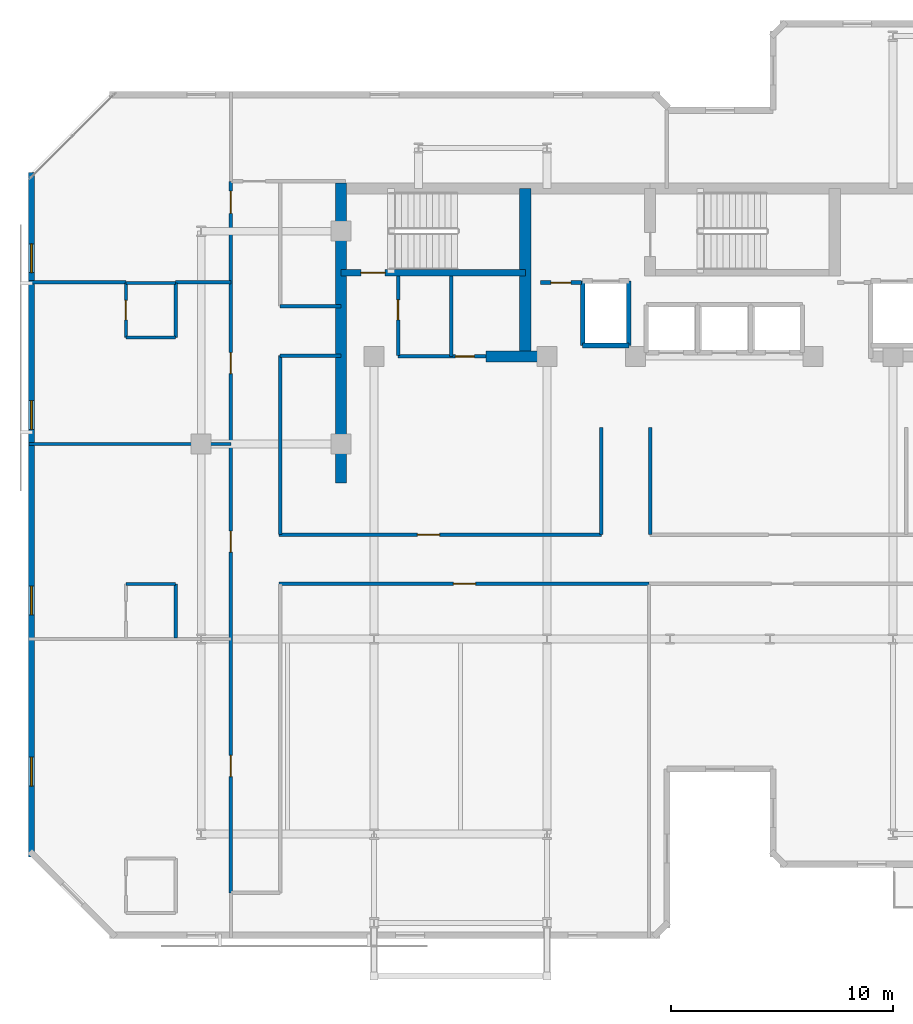
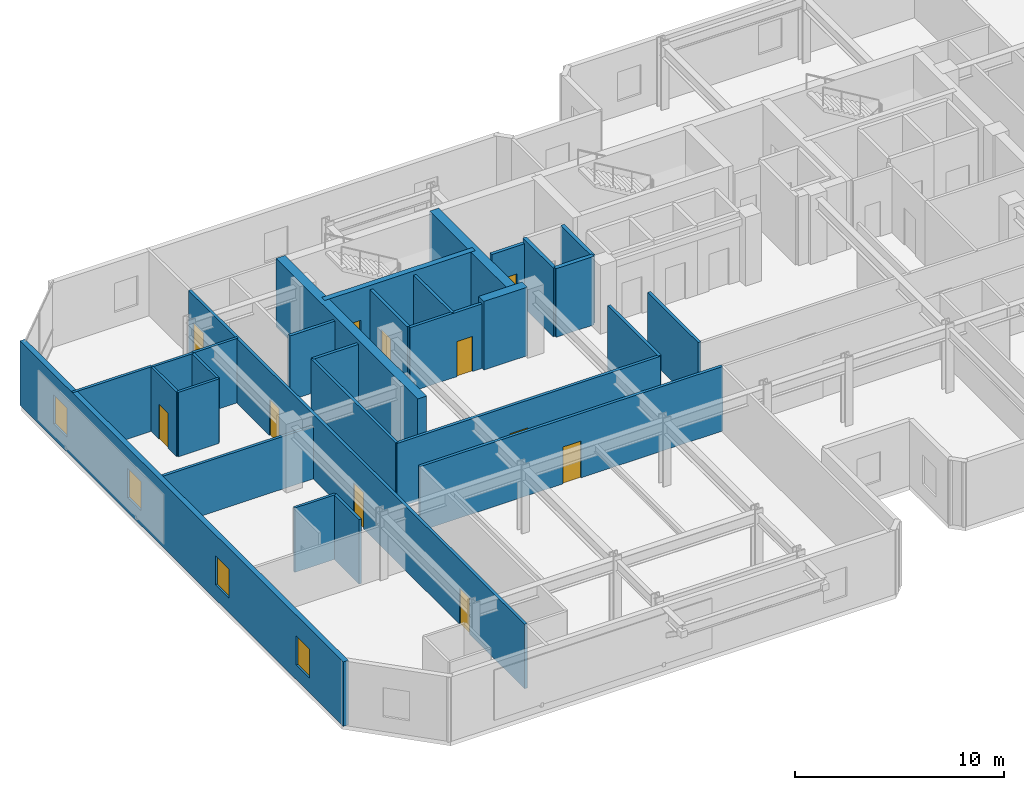
# One storey, part 4 of 10: 29 walls, 11 doors, 4 windows, 15 openings.
"""IFC4 building model written with IfcOpenShell, lengths in metres."""

from ifc_helpers import new_model, si_unit, direction, frame, frame_2d, origin, place, context, subcontext, project, spatial, rectangle, extrude, material, layer, layer_set, type_object, element, fill, save


model = new_model("IFC4")

# Units and contexts
model_context = context("Model", 3, precision=1e-05, world=origin(), true_north=direction((0.0, 1.0)))
body_context = subcontext(model_context, "Body", "Model", "MODEL_VIEW")
ifc_project = project(units=[si_unit("LENGTHUNIT", "METRE"), si_unit("AREAUNIT", "SQUARE_METRE"), si_unit("VOLUMEUNIT", "CUBIC_METRE"), si_unit("PLANEANGLEUNIT", "RADIAN"), si_unit("MASSUNIT", "GRAM", prefix="KILO")], contexts=[model_context])

# Site, building, storey
site_placement = place(None, origin())
site = spatial("IfcSite", under=ifc_project, at=site_placement, CompositionType="ELEMENT")
building_placement = place(site_placement, origin())
building = spatial("IfcBuilding", under=site, at=building_placement, Name="Kestravale Grand Hotel", CompositionType="ELEMENT")
storey_placement = place(building_placement, frame((0.0, 0.0, 269.39990234375)))
storey = spatial("IfcBuildingStorey", under=building, at=storey_placement, Name="L67", CompositionType="ELEMENT", Elevation=269.39990234375)

# Walls
ifc_material_1 = material(Name="Concrete f'c 50 MPa", Category="concrete")
ifc_layer_1 = layer(ifc_material_1, 0.5)
ifc_layer_set_1 = layer_set([ifc_layer_1], Name="EW-CORE-500")
wall_type_1 = type_object("IfcWallType", Name="EW-CORE-500", PredefinedType="SHEAR", material=ifc_layer_set_1)
wall_1_placement = place(storey_placement, frame((21.89990234375, 27.050048828125, 0.0), z_axis=(0.0, 0.0, 1.0), x_axis=(0.0, 1.0, 0.0)))
element("IfcWall", 1, at=wall_1_placement, inside=storey, type_object=wall_type_1, Name="L67 core shear wall W1", PredefinedType="SHEAR", context=body_context, shape_type="SweptSolid", body=[
    extrude(rectangle(XDim=13.52001953125, YDim=0.5, at=frame_2d((6.760009765625, 0.0))), origin(), (0.0, 0.0, 1.0), 4.0),
])
wall_2_placement = place(storey_placement, frame((28.449951171875, 32.75, 0.0), z_axis=(0.0, 0.0, 1.0), x_axis=(1.0, 0.0, 0.0)))
element("IfcWall", 2, at=wall_2_placement, inside=storey, type_object=wall_type_1, Name="L67 core shear wall S1", PredefinedType="SHEAR", context=body_context, shape_type="SweptSolid", body=[
    extrude(rectangle(XDim=2.400146484375, YDim=0.5, at=frame_2d((1.2001953125, 0.0))), origin(), (0.0, 0.0, 1.0), 4.0),
])
wall_3_placement = place(storey_placement, frame((30.219970703125, 33.0, 0.0), z_axis=(0.0, 0.0, 1.0), x_axis=(0.0, 1.0, 0.0)))
element("IfcWall", 3, at=wall_3_placement, inside=storey, type_object=wall_type_1, Name="L67 core shear wall X1", PredefinedType="SHEAR", context=body_context, shape_type="SweptSolid", body=[
    extrude(rectangle(XDim=7.320068359375, YDim=0.5, at=frame_2d((3.66015625, 0.0))), origin(), (0.0, 0.0, 1.0), 4.0),
])

# Wall, openings, windows
ifc_material_2 = material(Name="Precast concrete f'c 45 MPa", Category="concrete")
ifc_layer_2 = layer(ifc_material_2, 0.280029296875)
ifc_layer_set_2 = layer_set([ifc_layer_2], Name="EW-PREC-280")
wall_type_2 = type_object("IfcWallType", Name="EW-PREC-280", PredefinedType="SOLIDWALL", material=ifc_layer_set_2)
wall_4_placement = place(storey_placement, frame((7.93994140625, 41.0400390625, 0.0), z_axis=(0.0, 0.0, 1.0), x_axis=(0.0, -1.0, 0.0)))
wall_4 = element("IfcWall", 4, at=wall_4_placement, inside=storey, type_object=wall_type_2, Name="L67 fluted precast facade wall 19", PredefinedType="SOLIDWALL", context=body_context, shape_type="SweptSolid", body=[
    extrude(rectangle(XDim=30.880126953125, YDim=0.280029296875, at=frame_2d((15.43994140625, 0.0))), origin(), (0.0, 0.0, 1.0), 3.760009765625),
])
opening_1_placement = place(wall_4_placement, frame((3.2099609375, 0.0, 0.85009765625)))
opening_1 = element("IfcOpeningElement", 5, at=opening_1_placement, cuts=wall_4, Name="Opening W-GUEST-1300", PredefinedType="OPENING", context=body_context, shape_type="SweptSolid", body=[
    extrude(rectangle(XDim=1.300048828125, YDim=1.699951171875, at=frame_2d((0.64990234375, 0.85009765625))), frame((0.0, 0.14990234375, 0.0), z_axis=(0.0, -1.0, 0.0), x_axis=(1.0, 0.0, 0.0)), (0.0, 0.0, 1.0), 0.300048828125),
])
opening_2_placement = place(wall_4_placement, frame((10.280029296875, 0.0, 0.85009765625)))
opening_2 = element("IfcOpeningElement", 6, at=opening_2_placement, cuts=wall_4, Name="Opening W-GUEST-1300", PredefinedType="OPENING", context=body_context, shape_type="SweptSolid", body=[
    extrude(rectangle(XDim=1.300048828125, YDim=1.699951171875, at=frame_2d((0.64990234375, 0.85009765625))), frame((0.0, 0.14990234375, 0.0), z_axis=(0.0, -1.0, 0.0), x_axis=(1.0, 0.0, 0.0)), (0.0, 0.0, 1.0), 0.300048828125),
])
opening_3_placement = place(wall_4_placement, frame((18.64990234375, 0.0, 0.85009765625)))
opening_3 = element("IfcOpeningElement", 7, at=opening_3_placement, cuts=wall_4, Name="Opening W-GUEST-1300", PredefinedType="OPENING", context=body_context, shape_type="SweptSolid", body=[
    extrude(rectangle(XDim=1.300048828125, YDim=1.699951171875, at=frame_2d((0.64990234375, 0.85009765625))), frame((0.0, 0.14990234375, 0.0), z_axis=(0.0, -1.0, 0.0), x_axis=(1.0, 0.0, 0.0)), (0.0, 0.0, 1.0), 0.300048828125),
])
opening_4_placement = place(wall_4_placement, frame((26.3701171875, 0.0, 0.85009765625)))
opening_4 = element("IfcOpeningElement", 8, at=opening_4_placement, cuts=wall_4, Name="Opening W-GUEST-1300", PredefinedType="OPENING", context=body_context, shape_type="SweptSolid", body=[
    extrude(rectangle(XDim=1.300048828125, YDim=1.699951171875, at=frame_2d((0.64990234375, 0.85009765625))), frame((0.0, 0.14990234375, 0.0), z_axis=(0.0, -1.0, 0.0), x_axis=(1.0, 0.0, 0.0)), (0.0, 0.0, 1.0), 0.300048828125),
])
ifc_material_3 = material(Name="Insulated low-E double glazing in aluminium frame", Category="aluminium")
window_type = type_object("IfcWindowType", Name="W-GUEST-1300", PartitioningType="SINGLE_PANEL", PredefinedType="WINDOW", material=ifc_material_3)
window_1_placement = place(opening_1_placement, origin())
window_1 = element("IfcWindow", 9, at=window_1_placement, inside=storey, type_object=window_type, Name="L67 exterior window 19.1", OverallHeight=1.699951171875, OverallWidth=1.300048828125, PartitioningType="SINGLE_PANEL", PredefinedType="WINDOW", context=body_context, shape_type="SweptSolid", body=[
    extrude(rectangle(XDim=1.300048828125, YDim=1.699951171875, at=frame_2d((0.64990234375, 0.85009765625))), frame((0.0, 0.030029296875, 0.0), z_axis=(0.0, -1.0, 0.0), x_axis=(1.0, 0.0, 0.0)), (0.0, 0.0, 1.0), 0.06005859375),
])
fill(opening_1, window_1)
window_2_placement = place(opening_2_placement, origin())
window_2 = element("IfcWindow", 10, at=window_2_placement, inside=storey, type_object=window_type, Name="L67 exterior window 19.2", OverallHeight=1.699951171875, OverallWidth=1.300048828125, PartitioningType="SINGLE_PANEL", PredefinedType="WINDOW", context=body_context, shape_type="SweptSolid", body=[
    extrude(rectangle(XDim=1.300048828125, YDim=1.699951171875, at=frame_2d((0.64990234375, 0.85009765625))), frame((0.0, 0.030029296875, 0.0), z_axis=(0.0, -1.0, 0.0), x_axis=(1.0, 0.0, 0.0)), (0.0, 0.0, 1.0), 0.06005859375),
])
fill(opening_2, window_2)
window_3_placement = place(opening_3_placement, origin())
window_3 = element("IfcWindow", 11, at=window_3_placement, inside=storey, type_object=window_type, Name="L67 exterior window 19.3", OverallHeight=1.699951171875, OverallWidth=1.300048828125, PartitioningType="SINGLE_PANEL", PredefinedType="WINDOW", context=body_context, shape_type="SweptSolid", body=[
    extrude(rectangle(XDim=1.300048828125, YDim=1.699951171875, at=frame_2d((0.64990234375, 0.85009765625))), frame((0.0, 0.030029296875, 0.0), z_axis=(0.0, -1.0, 0.0), x_axis=(1.0, 0.0, 0.0)), (0.0, 0.0, 1.0), 0.06005859375),
])
fill(opening_3, window_3)
window_4_placement = place(opening_4_placement, origin())
window_4 = element("IfcWindow", 12, at=window_4_placement, inside=storey, type_object=window_type, Name="L67 exterior window 19.4", OverallHeight=1.699951171875, OverallWidth=1.300048828125, PartitioningType="SINGLE_PANEL", PredefinedType="WINDOW", context=body_context, shape_type="SweptSolid", body=[
    extrude(rectangle(XDim=1.300048828125, YDim=1.699951171875, at=frame_2d((0.64990234375, 0.85009765625))), frame((0.0, 0.030029296875, 0.0), z_axis=(0.0, -1.0, 0.0), x_axis=(1.0, 0.0, 0.0)), (0.0, 0.0, 1.0), 0.06005859375),
])
fill(opening_4, window_4)

# Wall, opening, door
ifc_material_4 = material(Name="Concrete f'c 45 MPa", Category="concrete")
ifc_layer_3 = layer(ifc_material_4, 0.300048828125)
ifc_layer_set_3 = layer_set([ifc_layer_3], Name="EW-STAIR-300")
wall_type_3 = type_object("IfcWallType", Name="EW-STAIR-300", PredefinedType="SHEAR", material=ifc_layer_set_3)
wall_5_placement = place(storey_placement, frame((21.89990234375, 36.52001953125, 0.0), z_axis=(0.0, 0.0, 1.0), x_axis=(1.0, 0.0, 0.0)))
wall_5 = element("IfcWall", 13, at=wall_5_placement, inside=storey, type_object=wall_type_3, Name="L67 stair enclosure shear wall SST1", PredefinedType="SHEAR", context=body_context, shape_type="SweptSolid", body=[
    extrude(rectangle(XDim=8.320068359375, YDim=0.300048828125, at=frame_2d((4.16015625, 0.0))), origin(), (0.0, 0.0, 1.0), 4.0),
])
opening_5_placement = place(wall_5_placement, frame((0.89990234375, 0.0, 0.0)))
opening_5 = element("IfcOpeningElement", 14, at=opening_5_placement, cuts=wall_5, Name="Opening D-ST-1100", PredefinedType="OPENING", context=body_context, shape_type="SweptSolid", body=[
    extrude(rectangle(XDim=1.10009765625, YDim=2.14990234375, at=frame_2d((0.550048828125, 1.074951171875))), frame((0.0, 0.159912109375, 0.0), z_axis=(0.0, -1.0, 0.0), x_axis=(1.0, 0.0, 0.0)), (0.0, 0.0, 1.0), 0.320068359375),
])
ifc_material_5 = material(Name="Galvanised 90-minute fire-rated steel stair door", Category="steel")
door_type_1 = type_object("IfcDoorType", Name="D-ST-1100", OperationType="NOTDEFINED", PredefinedType="DOOR", material=ifc_material_5)
door_1_placement = place(opening_5_placement, origin())
door_1 = element("IfcDoor", 15, at=door_1_placement, inside=storey, type_object=door_type_1, Name="L67 Stair ST-1 fire door", OperationType="SINGLE_SWING_RIGHT", OverallHeight=2.14990234375, OverallWidth=1.10009765625, PredefinedType="DOOR", context=body_context, shape_type="SweptSolid", body=[
    extrude(rectangle(XDim=1.10009765625, YDim=2.14990234375, at=frame_2d((0.550048828125, 1.074951171875))), frame((0.0, 0.02490234375, 0.0), z_axis=(0.0, -1.0, 0.0), x_axis=(1.0, 0.0, 0.0)), (0.0, 0.0, 1.0), 0.050048828125),
])
fill(opening_5, door_1)

ifc_material_6 = material(Name="Acoustic fire-rated gypsum board partition", Category="other")
ifc_layer_4 = layer(ifc_material_6, 0.159912109375)
ifc_layer_set_4 = layer_set([ifc_layer_4], Name="IW-CORR-160")
wall_type_4 = type_object("IfcWallType", Name="IW-CORR-160", PredefinedType="PARTITIONING", material=ifc_layer_set_4)
wall_6_placement = place(storey_placement, frame((24.47998046875, 32.800048828125, 0.0), z_axis=(0.0, 0.0, 1.0), x_axis=(0.0, 1.0, 0.0)))
wall_6 = element("IfcWall", 16, at=wall_6_placement, inside=storey, type_object=wall_type_4, Name="L67 west core vestibule wall", PredefinedType="PARTITIONING", context=body_context, shape_type="SweptSolid", body=[
    extrude(rectangle(XDim=3.570068359375, YDim=0.159912109375, at=frame_2d((1.78515625, 0.0))), origin(), (0.0, 0.0, 1.0), 3.760009765625),
])
opening_6_placement = place(wall_6_placement, frame((1.603515625, 0.0, 0.0)))
opening_6 = element("IfcOpeningElement", 17, at=opening_6_placement, cuts=wall_6, Name="Opening D-SH-900", PredefinedType="OPENING", context=body_context, shape_type="SweptSolid", body=[
    extrude(rectangle(XDim=0.89990234375, YDim=2.10009765625, at=frame_2d((0.449951171875, 1.050048828125))), frame((0.0, 0.08984375, 0.0), z_axis=(0.0, -1.0, 0.0), x_axis=(1.0, 0.0, 0.0)), (0.0, 0.0, 1.0), 0.179931640625),
])
ifc_material_7 = material(Name="Galvanised 90-minute shaft and service fire door", Category="steel")
door_type_2 = type_object("IfcDoorType", Name="D-SH-900", OperationType="NOTDEFINED", PredefinedType="DOOR", material=ifc_material_7)
door_2_placement = place(opening_6_placement, origin())
door_2 = element("IfcDoor", 18, at=door_2_placement, inside=storey, type_object=door_type_2, Name="D-L67-HK", OperationType="SINGLE_SWING_RIGHT", OverallHeight=2.10009765625, OverallWidth=0.89990234375, PredefinedType="DOOR", context=body_context, shape_type="SweptSolid", body=[
    extrude(rectangle(XDim=0.89990234375, YDim=2.10009765625, at=frame_2d((0.449951171875, 1.050048828125))), frame((0.0, 0.02490234375, 0.0), z_axis=(0.0, -1.0, 0.0), x_axis=(1.0, 0.0, 0.0)), (0.0, 0.0, 1.0), 0.050048828125),
])
fill(opening_6, door_2)

wall_7_placement = place(storey_placement, frame((24.47998046875, 32.75, 0.0), z_axis=(0.0, 0.0, 1.0), x_axis=(1.0, 0.0, 0.0)))
wall_7 = element("IfcWall", 19, at=wall_7_placement, inside=storey, type_object=wall_type_4, Name="W-L67-CWS", PredefinedType="PARTITIONING", context=body_context, shape_type="SweptSolid", body=[
    extrude(rectangle(XDim=3.969970703125, YDim=0.159912109375, at=frame_2d((1.98486328125, 0.0))), origin(), (0.0, 0.0, 1.0), 3.760009765625),
])
opening_7_placement = place(wall_7_placement, frame((2.5849609375, 0.0, 0.0)))
opening_7 = element("IfcOpeningElement", 20, at=opening_7_placement, cuts=wall_7, Name="Opening D-SH-860", PredefinedType="OPENING", context=body_context, shape_type="SweptSolid", body=[
    extrude(rectangle(XDim=0.860107421875, YDim=2.050048828125, at=frame_2d((0.43017578125, 1.02490234375))), frame((0.0, 0.08984375, 0.0), z_axis=(0.0, -1.0, 0.0), x_axis=(1.0, 0.0, 0.0)), (0.0, 0.0, 1.0), 0.179931640625),
])
ifc_material_8 = material(Name="Galvanised 90-minute riser fire door", Category="steel")
door_type_3 = type_object("IfcDoorType", Name="D-SH-860", OperationType="NOTDEFINED", PredefinedType="DOOR", material=ifc_material_8)
door_3_placement = place(opening_7_placement, origin())
door_3 = element("IfcDoor", 21, at=door_3_placement, inside=storey, type_object=door_type_3, Name="D-L67-ELEC", OperationType="SINGLE_SWING_RIGHT", OverallHeight=2.050048828125, OverallWidth=0.860107421875, PredefinedType="DOOR", context=body_context, shape_type="SweptSolid", body=[
    extrude(rectangle(XDim=0.860107421875, YDim=2.050048828125, at=frame_2d((0.43017578125, 1.02490234375))), frame((0.0, 0.02490234375, 0.0), z_axis=(0.0, -1.0, 0.0), x_axis=(1.0, 0.0, 0.0)), (0.0, 0.0, 1.0), 0.050048828125),
])
fill(opening_7, door_3)

wall_8_placement = place(storey_placement, frame((19.10009765625, 24.7099609375, 0.0), z_axis=(0.0, 0.0, 1.0), x_axis=(1.0, 0.0, 0.0)))
wall_8 = element("IfcWall", 22, at=wall_8_placement, inside=storey, type_object=wall_type_4, Name="W-L67-CW-N", PredefinedType="PARTITIONING", context=body_context, shape_type="SweptSolid", body=[
    extrude(rectangle(XDim=14.5498046875, YDim=0.159912109375, at=frame_2d((7.27490234375, 0.0))), origin(), (0.0, 0.0, 1.0), 3.760009765625),
])
opening_8_placement = place(wall_8_placement, frame((6.25, 0.0, 0.0)))
opening_8 = element("IfcOpeningElement", 23, at=opening_8_placement, cuts=wall_8, Name="Opening D-GUEST-1000", PredefinedType="OPENING", context=body_context, shape_type="SweptSolid", body=[
    extrude(rectangle(XDim=1.0, YDim=2.14990234375, at=frame_2d((0.5, 1.074951171875))), frame((0.0, 0.08984375, 0.0), z_axis=(0.0, -1.0, 0.0), x_axis=(1.0, 0.0, 0.0)), (0.0, 0.0, 1.0), 0.179931640625),
])
ifc_material_9 = material(Name="Accessible walnut veneer hotel entrance fire door", Category="wood")
door_type_4 = type_object("IfcDoorType", Name="D-GUEST-1000", OperationType="NOTDEFINED", PredefinedType="DOOR", material=ifc_material_9)
door_4_placement = place(opening_8_placement, origin())
door_4 = element("IfcDoor", 24, at=door_4_placement, inside=storey, type_object=door_type_4, Name="D-L67-RECL-W", OperationType="SINGLE_SWING_LEFT", OverallHeight=2.14990234375, OverallWidth=1.0, PredefinedType="DOOR", context=body_context, shape_type="SweptSolid", body=[
    extrude(rectangle(XDim=1.0, YDim=2.14990234375, at=frame_2d((0.5, 1.074951171875))), frame((0.0, 0.02490234375, 0.0), z_axis=(0.0, -1.0, 0.0), x_axis=(1.0, 0.0, 0.0)), (0.0, 0.0, 1.0), 0.050048828125),
])
fill(opening_8, door_4)

# Walls
for number, where, z_axis, x_axis, name in (
    (25, (33.64990234375, 24.7099609375, 0.0), (0.0, 0.0, 1.0), (0.0, 1.0, 0.0), "W-L67-TRUNK-W"),
    (26, (35.85009765625, 24.7099609375, 0.0), (0.0, 0.0, 1.0), (0.0, 1.0, 0.0), "W-L67-TRUNK-E"),
):
    element("IfcWall", number, at=place(storey_placement, frame(where, z_axis=z_axis, x_axis=x_axis)), inside=storey, type_object=wall_type_4, Name=name, PredefinedType="PARTITIONING", context=body_context, shape_type="SweptSolid", body=[
        extrude(rectangle(XDim=4.840087890625, YDim=0.159912109375, at=frame_2d((2.419921875, 0.0))), origin(), (0.0, 0.0, 1.0), 3.760009765625),
    ])

# Wall, opening, door
wall_9_placement = place(storey_placement, frame((19.10009765625, 22.489990234375, 0.0), z_axis=(0.0, 0.0, 1.0), x_axis=(1.0, 0.0, 0.0)))
wall_9 = element("IfcWall", 27, at=wall_9_placement, inside=storey, type_object=wall_type_4, Name="W-L67-CW-S", PredefinedType="PARTITIONING", context=body_context, shape_type="SweptSolid", body=[
    extrude(rectangle(XDim=16.699951171875, YDim=0.159912109375, at=frame_2d((8.35009765625, 0.0))), origin(), (0.0, 0.0, 1.0), 3.760009765625),
])
opening_9_placement = place(wall_9_placement, frame((7.8798828125, 0.0, 0.0)))
opening_9 = element("IfcOpeningElement", 28, at=opening_9_placement, cuts=wall_9, Name="Opening D-GUEST-1000", PredefinedType="OPENING", context=body_context, shape_type="SweptSolid", body=[
    extrude(rectangle(XDim=1.0, YDim=2.14990234375, at=frame_2d((0.5, 1.074951171875))), frame((0.0, 0.08984375, 0.0), z_axis=(0.0, -1.0, 0.0), x_axis=(1.0, 0.0, 0.0)), (0.0, 0.0, 1.0), 0.179931640625),
])
door_5_placement = place(opening_9_placement, origin())
door_5 = element("IfcDoor", 29, at=door_5_placement, inside=storey, type_object=door_type_4, Name="D-L67-AMW", OperationType="SINGLE_SWING_RIGHT", OverallHeight=2.14990234375, OverallWidth=1.0, PredefinedType="DOOR", context=body_context, shape_type="SweptSolid", body=[
    extrude(rectangle(XDim=1.0, YDim=2.14990234375, at=frame_2d((0.5, 1.074951171875))), frame((0.0, 0.02490234375, 0.0), z_axis=(0.0, -1.0, 0.0), x_axis=(1.0, 0.0, 0.0)), (0.0, 0.0, 1.0), 0.050048828125),
])
fill(opening_9, door_5)

# Wall, openings, doors
wall_10_placement = place(storey_placement, frame((16.93994140625, 8.550048828125, 0.0), z_axis=(0.0, 0.0, 1.0), x_axis=(0.0, 1.0, 0.0)))
wall_10 = element("IfcWall", 30, at=wall_10_placement, inside=storey, type_object=wall_type_4, Name="W-L67-SW-W", PredefinedType="PARTITIONING", context=body_context, shape_type="SweptSolid", body=[
    extrude(rectangle(XDim=32.099853515625, YDim=0.159912109375, at=frame_2d((16.0498046875, 0.0))), origin(), (0.0, 0.0, 1.0), 3.760009765625),
])
opening_10_placement = place(wall_10_placement, frame((5.25, 0.0, 0.0)))
opening_10 = element("IfcOpeningElement", 31, at=opening_10_placement, cuts=wall_10, Name="Opening D-GUEST-950", PredefinedType="OPENING", context=body_context, shape_type="SweptSolid", body=[
    extrude(rectangle(XDim=0.949951171875, YDim=2.10009765625, at=frame_2d((0.47509765625, 1.050048828125))), frame((0.0, 0.08984375, 0.0), z_axis=(0.0, -1.0, 0.0), x_axis=(1.0, 0.0, 0.0)), (0.0, 0.0, 1.0), 0.179931640625),
])
opening_11_placement = place(wall_10_placement, frame((15.375, 0.0, 0.0)))
opening_11 = element("IfcOpeningElement", 32, at=opening_11_placement, cuts=wall_10, Name="Opening D-GUEST-950", PredefinedType="OPENING", context=body_context, shape_type="SweptSolid", body=[
    extrude(rectangle(XDim=0.949951171875, YDim=2.10009765625, at=frame_2d((0.47509765625, 1.050048828125))), frame((0.0, 0.08984375, 0.0), z_axis=(0.0, -1.0, 0.0), x_axis=(1.0, 0.0, 0.0)), (0.0, 0.0, 1.0), 0.179931640625),
])
opening_12_placement = place(wall_10_placement, frame((23.425048828125, 0.0, 0.0)))
opening_12 = element("IfcOpeningElement", 33, at=opening_12_placement, cuts=wall_10, Name="Opening D-GUEST-950", PredefinedType="OPENING", context=body_context, shape_type="SweptSolid", body=[
    extrude(rectangle(XDim=0.949951171875, YDim=2.10009765625, at=frame_2d((0.47509765625, 1.050048828125))), frame((0.0, 0.08984375, 0.0), z_axis=(0.0, -1.0, 0.0), x_axis=(1.0, 0.0, 0.0)), (0.0, 0.0, 1.0), 0.179931640625),
])
opening_13_placement = place(wall_10_placement, frame((30.659912109375, 0.0, 0.0)))
opening_13 = element("IfcOpeningElement", 34, at=opening_13_placement, cuts=wall_10, Name="Opening D-GUEST-1000", PredefinedType="OPENING", context=body_context, shape_type="SweptSolid", body=[
    extrude(rectangle(XDim=1.0, YDim=2.14990234375, at=frame_2d((0.5, 1.074951171875))), frame((0.0, 0.08984375, 0.0), z_axis=(0.0, -1.0, 0.0), x_axis=(1.0, 0.0, 0.0)), (0.0, 0.0, 1.0), 0.179931640625),
])
door_6_placement = place(opening_13_placement, origin())
door_6 = element("IfcDoor", 35, at=door_6_placement, inside=storey, type_object=door_type_4, Name="D-L67-AMWW", OperationType="SINGLE_SWING_RIGHT", OverallHeight=2.14990234375, OverallWidth=1.0, PredefinedType="DOOR", context=body_context, shape_type="SweptSolid", body=[
    extrude(rectangle(XDim=1.0, YDim=2.14990234375, at=frame_2d((0.5, 1.074951171875))), frame((0.0, 0.02490234375, 0.0), z_axis=(0.0, -1.0, 0.0), x_axis=(1.0, 0.0, 0.0)), (0.0, 0.0, 1.0), 0.050048828125),
])
fill(opening_13, door_6)
ifc_material_10 = material(Name="Walnut veneer hotel guestroom entrance fire door", Category="wood")
door_type_5 = type_object("IfcDoorType", Name="D-GUEST-950", OperationType="NOTDEFINED", PredefinedType="DOOR", material=ifc_material_10)
door_7_placement = place(opening_10_placement, origin())
door_7 = element("IfcDoor", 36, at=door_7_placement, inside=storey, type_object=door_type_5, Name="D-L67-U02-ENT", OperationType="SINGLE_SWING_LEFT", OverallHeight=2.10009765625, OverallWidth=0.949951171875, PredefinedType="DOOR", context=body_context, shape_type="SweptSolid", body=[
    extrude(rectangle(XDim=0.949951171875, YDim=2.10009765625, at=frame_2d((0.47509765625, 1.050048828125))), frame((0.0, 0.02490234375, 0.0), z_axis=(0.0, -1.0, 0.0), x_axis=(1.0, 0.0, 0.0)), (0.0, 0.0, 1.0), 0.050048828125),
])
fill(opening_10, door_7)
door_8_placement = place(opening_11_placement, origin())
door_8 = element("IfcDoor", 37, at=door_8_placement, inside=storey, type_object=door_type_5, Name="D-L67-U03-ENT", OperationType="SINGLE_SWING_LEFT", OverallHeight=2.10009765625, OverallWidth=0.949951171875, PredefinedType="DOOR", context=body_context, shape_type="SweptSolid", body=[
    extrude(rectangle(XDim=0.949951171875, YDim=2.10009765625, at=frame_2d((0.47509765625, 1.050048828125))), frame((0.0, 0.02490234375, 0.0), z_axis=(0.0, -1.0, 0.0), x_axis=(1.0, 0.0, 0.0)), (0.0, 0.0, 1.0), 0.050048828125),
])
fill(opening_11, door_8)
door_9_placement = place(opening_12_placement, origin())
door_9 = element("IfcDoor", 38, at=door_9_placement, inside=storey, type_object=door_type_5, Name="D-L67-U04-ENT", OperationType="SINGLE_SWING_LEFT", OverallHeight=2.10009765625, OverallWidth=0.949951171875, PredefinedType="DOOR", context=body_context, shape_type="SweptSolid", body=[
    extrude(rectangle(XDim=0.949951171875, YDim=2.10009765625, at=frame_2d((0.47509765625, 1.050048828125))), frame((0.0, 0.02490234375, 0.0), z_axis=(0.0, -1.0, 0.0), x_axis=(1.0, 0.0, 0.0)), (0.0, 0.0, 1.0), 0.050048828125),
])
fill(opening_12, door_9)

# Walls
for number, where, z_axis, x_axis, name in (
    (39, (19.159912109375, 35.02001953125, 0.0), (0.0, 0.0, 1.0), (1.0, 0.0, 0.0), "W-L67-SW-CN"),
    (40, (19.159912109375, 32.780029296875, 0.0), (0.0, 0.0, 1.0), (1.0, 0.0, 0.0), "W-L67-SW-CS"),
):
    element("IfcWall", number, at=place(storey_placement, frame(where, z_axis=z_axis, x_axis=x_axis)), inside=storey, type_object=wall_type_4, Name=name, PredefinedType="PARTITIONING", context=body_context, shape_type="SweptSolid", body=[
        extrude(rectangle(XDim=2.739990234375, YDim=0.159912109375, at=frame_2d((1.3701171875, 0.0))), origin(), (0.0, 0.0, 1.0), 3.760009765625),
    ])

# Wall, opening, door
ifc_material_11 = material(Name="Fire-rated gypsum board on steel studs with mineral wool", Category="steel")
ifc_layer_5 = layer(ifc_material_11, 0.179931640625)
ifc_layer_set_5 = layer_set([ifc_layer_5], Name="IW-FSAE-180")
wall_type_5 = type_object("IfcWallType", Name="IW-FSAE-180", PredefinedType="PARTITIONING", material=ifc_layer_set_5)
wall_11_placement = place(storey_placement, frame((30.89990234375, 36.080078125, 0.0), z_axis=(0.0, 0.0, 1.0), x_axis=(1.0, 0.0, 0.0)))
wall_11 = element("IfcWall", 41, at=wall_11_placement, inside=storey, type_object=wall_type_5, Name="L67 FSAE Lobby 1 smoke barrier", PredefinedType="PARTITIONING", context=body_context, shape_type="SweptSolid", body=[
    extrude(rectangle(XDim=1.85009765625, YDim=0.179931640625, at=frame_2d((0.925048828125, 0.0))), origin(), (0.0, 0.0, 1.0), 3.760009765625),
])
opening_14_placement = place(wall_11_placement, frame((0.47998046875, 0.0, 0.0)))
opening_14 = element("IfcOpeningElement", 42, at=opening_14_placement, cuts=wall_11, Name="Opening D-FSAE-1000", PredefinedType="OPENING", context=body_context, shape_type="SweptSolid", body=[
    extrude(rectangle(XDim=0.89990234375, YDim=2.14990234375, at=frame_2d((0.449951171875, 1.074951171875))), frame((0.0, 0.099853515625, 0.0), z_axis=(0.0, -1.0, 0.0), x_axis=(1.0, 0.0, 0.0)), (0.0, 0.0, 1.0), 0.199951171875),
])
ifc_material_12 = material(Name="Smoke-gasketed FSAE lobby fire door", Category="steel")
door_type_6 = type_object("IfcDoorType", Name="D-FSAE-1000", OperationType="NOTDEFINED", PredefinedType="DOOR", material=ifc_material_12)
door_10_placement = place(opening_14_placement, origin())
door_10 = element("IfcDoor", 43, at=door_10_placement, inside=storey, type_object=door_type_6, Name="L67 FSAE Lobby 1 fire door", OperationType="SINGLE_SWING_RIGHT", OverallHeight=2.14990234375, OverallWidth=0.89990234375, PredefinedType="DOOR", context=body_context, shape_type="SweptSolid", body=[
    extrude(rectangle(XDim=0.89990234375, YDim=2.14990234375, at=frame_2d((0.449951171875, 1.074951171875))), frame((0.0, 0.02490234375, 0.0), z_axis=(0.0, -1.0, 0.0), x_axis=(1.0, 0.0, 0.0)), (0.0, 0.0, 1.0), 0.050048828125),
])
fill(opening_14, door_10)

# Walls
ifc_material_13 = material(Name="Moisture-resistant tile-backer plumbing chase wall", Category="other")
ifc_layer_6 = layer(ifc_material_13, 0.139892578125)
ifc_layer_set_6 = layer_set([ifc_layer_6], Name="IW-PLB-140")
wall_type_6 = type_object("IfcWallType", Name="IW-PLB-140", PredefinedType="PLUMBINGWALL", material=ifc_layer_set_6)
wall_12_placement = place(storey_placement, frame((14.449951171875, 20.0400390625, 0.0), z_axis=(0.0, 0.0, 1.0), x_axis=(0.0, 1.0, 0.0)))
element("IfcWall", 44, at=wall_12_placement, inside=storey, type_object=wall_type_6, Name="W-L67-U03-BE", PredefinedType="PLUMBINGWALL", context=body_context, shape_type="SweptSolid", body=[
    extrude(rectangle(XDim=2.449951171875, YDim=0.139892578125, at=frame_2d((1.22509765625, 0.0))), origin(), (0.0, 0.0, 1.0), 3.760009765625),
])
wall_13_placement = place(storey_placement, frame((12.199951171875, 22.489990234375, 0.0), z_axis=(0.0, 0.0, 1.0), x_axis=(1.0, 0.0, 0.0)))
element("IfcWall", 45, at=wall_13_placement, inside=storey, type_object=wall_type_6, Name="W-L67-U03-BN", PredefinedType="PLUMBINGWALL", context=body_context, shape_type="SweptSolid", body=[
    extrude(rectangle(XDim=2.25, YDim=0.139892578125, at=frame_2d((1.125, 0.0))), origin(), (0.0, 0.0, 1.0), 3.760009765625),
])

# Wall, opening, door
wall_14_placement = place(storey_placement, frame((12.199951171875, 33.610107421875, 0.0), z_axis=(0.0, 0.0, 1.0), x_axis=(0.0, 1.0, 0.0)))
wall_14 = element("IfcWall", 46, at=wall_14_placement, inside=storey, type_object=wall_type_6, Name="W-L67-U04-BW", PredefinedType="PLUMBINGWALL", context=body_context, shape_type="SweptSolid", body=[
    extrude(rectangle(XDim=2.449951171875, YDim=0.139892578125, at=frame_2d((1.22509765625, 0.0))), origin(), (0.0, 0.0, 1.0), 3.760009765625),
])
opening_15_placement = place(wall_14_placement, frame((0.784912109375, 0.0, 0.0)))
opening_15 = element("IfcOpeningElement", 47, at=opening_15_placement, cuts=wall_14, Name="Opening D-BATH-880", PredefinedType="OPENING", context=body_context, shape_type="SweptSolid", body=[
    extrude(rectangle(XDim=0.8798828125, YDim=2.050048828125, at=frame_2d((0.43994140625, 1.02490234375))), frame((0.0, 0.079833984375, 0.0), z_axis=(0.0, -1.0, 0.0), x_axis=(1.0, 0.0, 0.0)), (0.0, 0.0, 1.0), 0.159912109375),
])
ifc_material_14 = material(Name="Moisture-sealed walnut en-suite bathroom door", Category="wood")
door_type_7 = type_object("IfcDoorType", Name="D-BATH-880", OperationType="NOTDEFINED", PredefinedType="DOOR", material=ifc_material_14)
door_11_placement = place(opening_15_placement, origin())
door_11 = element("IfcDoor", 48, at=door_11_placement, inside=storey, type_object=door_type_7, Name="D-L67-U04-BATH", OperationType="SINGLE_SWING_RIGHT", OverallHeight=2.050048828125, OverallWidth=0.8798828125, PredefinedType="DOOR", context=body_context, shape_type="SweptSolid", body=[
    extrude(rectangle(XDim=0.8798828125, YDim=2.050048828125, at=frame_2d((0.43994140625, 1.02490234375))), frame((0.0, 0.02490234375, 0.0), z_axis=(0.0, -1.0, 0.0), x_axis=(1.0, 0.0, 0.0)), (0.0, 0.0, 1.0), 0.050048828125),
])
fill(opening_15, door_11)

# Walls
wall_15_placement = place(storey_placement, frame((14.449951171875, 33.610107421875, 0.0), z_axis=(0.0, 0.0, 1.0), x_axis=(0.0, 1.0, 0.0)))
element("IfcWall", 49, at=wall_15_placement, inside=storey, type_object=wall_type_6, Name="W-L67-U04-BE", PredefinedType="PLUMBINGWALL", context=body_context, shape_type="SweptSolid", body=[
    extrude(rectangle(XDim=2.449951171875, YDim=0.139892578125, at=frame_2d((1.22509765625, 0.0))), origin(), (0.0, 0.0, 1.0), 3.760009765625),
])
for number, where, z_axis, x_axis, name in (
    (50, (12.199951171875, 33.610107421875, 0.0), (0.0, 0.0, 1.0), (1.0, 0.0, 0.0), "W-L67-U04-BS"),
    (51, (12.199951171875, 36.06005859375, 0.0), (0.0, 0.0, 1.0), (1.0, 0.0, 0.0), "W-L67-U04-BN"),
):
    element("IfcWall", number, at=place(storey_placement, frame(where, z_axis=z_axis, x_axis=x_axis)), inside=storey, type_object=wall_type_6, Name=name, PredefinedType="PLUMBINGWALL", context=body_context, shape_type="SweptSolid", body=[
        extrude(rectangle(XDim=2.25, YDim=0.139892578125, at=frame_2d((1.125, 0.0))), origin(), (0.0, 0.0, 1.0), 3.760009765625),
    ])
ifc_material_15 = material(Name="Concrete f'c 45 MPa", Category="concrete")
ifc_layer_7 = layer(ifc_material_15, 0.199951171875)
ifc_layer_set_7 = layer_set([ifc_layer_7], Name="IW-SHAFT-200")
wall_type_7 = type_object("IfcWallType", Name="IW-SHAFT-200", PredefinedType="SHEAR", material=ifc_layer_set_7)
for number, where, z_axis, x_axis, name in (
    (52, (32.804931640625, 33.2451171875, 0.0), (0.0, 0.0, 1.0), (0.0, 1.0, 0.0), "L67 FL-1 west shaft wall"),
    (53, (34.89501953125, 33.2451171875, 0.0), (0.0, 0.0, 1.0), (0.0, 1.0, 0.0), "L67 FL-1 east shaft wall"),
):
    element("IfcWall", number, at=place(storey_placement, frame(where, z_axis=z_axis, x_axis=x_axis)), inside=storey, type_object=wall_type_7, Name=name, PredefinedType="SHEAR", context=body_context, shape_type="SweptSolid", body=[
        extrude(rectangle(XDim=2.909912109375, YDim=0.199951171875, at=frame_2d((1.455078125, 0.0))), origin(), (0.0, 0.0, 1.0), 4.0),
    ])
ifc_material_16 = material(Name="Concrete f'c 45 MPa", Category="concrete")
ifc_layer_8 = layer(ifc_material_16, 0.219970703125)
ifc_layer_set_8 = layer_set([ifc_layer_8], Name="IW-SHAFT-220")
wall_type_8 = type_object("IfcWallType", Name="IW-SHAFT-220", PredefinedType="SHEAR", material=ifc_layer_set_8)
wall_16_placement = place(storey_placement, frame((32.804931640625, 33.2451171875, 0.0), z_axis=(0.0, 0.0, 1.0), x_axis=(1.0, 0.0, 0.0)))
element("IfcWall", 54, at=wall_16_placement, inside=storey, type_object=wall_type_8, Name="L67 FL-1 south shaft wall", PredefinedType="SHEAR", context=body_context, shape_type="SweptSolid", body=[
    extrude(rectangle(XDim=2.090087890625, YDim=0.219970703125, at=frame_2d((1.044921875, 0.0))), origin(), (0.0, 0.0, 1.0), 4.0),
])
ifc_material_17 = material(Name="Double-stud STC 52 acoustic demising partition", Category="other")
ifc_layer_9 = layer(ifc_material_17, 0.14990234375)
ifc_layer_set_9 = layer_set([ifc_layer_9], Name="IW-UNIT-150")
wall_type_9 = type_object("IfcWallType", Name="IW-UNIT-150", PredefinedType="PARTITIONING", material=ifc_layer_set_9)
wall_17_placement = place(storey_placement, frame((26.8798828125, 32.75, 0.0), z_axis=(0.0, 0.0, 1.0), x_axis=(0.0, 1.0, 0.0)))
element("IfcWall", 55, at=wall_17_placement, inside=storey, type_object=wall_type_9, Name="W-L67-CC0-1", PredefinedType="PARTITIONING", context=body_context, shape_type="SweptSolid", body=[
    extrude(rectangle(XDim=3.6201171875, YDim=0.14990234375, at=frame_2d((1.81005859375, 0.0))), origin(), (0.0, 0.0, 1.0), 3.760009765625),
])
wall_18_placement = place(storey_placement, frame((19.159912109375, 24.7099609375, 0.0), z_axis=(0.0, 0.0, 1.0), x_axis=(0.0, 1.0, 0.0)))
element("IfcWall", 56, at=wall_18_placement, inside=storey, type_object=wall_type_9, Name="W-L67-RCLW-W", PredefinedType="PARTITIONING", context=body_context, shape_type="SweptSolid", body=[
    extrude(rectangle(XDim=8.090087890625, YDim=0.14990234375, at=frame_2d((4.044921875, 0.0))), origin(), (0.0, 0.0, 1.0), 3.760009765625),
])
wall_19_placement = place(storey_placement, frame((7.820068359375, 28.800048828125, 0.0), z_axis=(0.0, 0.0, 1.0), x_axis=(1.0, 0.0, 0.0)))
element("IfcWall", 57, at=wall_19_placement, inside=storey, type_object=wall_type_9, Name="W-L67-WW-2", PredefinedType="PARTITIONING", context=body_context, shape_type="SweptSolid", body=[
    extrude(rectangle(XDim=9.119873046875, YDim=0.14990234375, at=frame_2d((4.56005859375, 0.0))), origin(), (0.0, 0.0, 1.0), 3.064208984375),
])
wall_20_placement = place(storey_placement, frame((7.820068359375, 36.10009765625, 0.0), z_axis=(0.0, 0.0, 1.0), x_axis=(1.0, 0.0, 0.0)))
element("IfcWall", 58, at=wall_20_placement, inside=storey, type_object=wall_type_9, Name="W-L67-WW-3", PredefinedType="PARTITIONING", context=body_context, shape_type="SweptSolid", body=[
    extrude(rectangle(XDim=4.3798828125, YDim=0.14990234375, at=frame_2d((2.18994140625, 0.0))), origin(), (0.0, 0.0, 1.0), 3.760009765625),
])
wall_21_placement = place(storey_placement, frame((14.449951171875, 36.10009765625, 0.0), z_axis=(0.0, 0.0, 1.0), x_axis=(1.0, 0.0, 0.0)))
element("IfcWall", 59, at=wall_21_placement, inside=storey, type_object=wall_type_9, Name="W-L67-WW-3", PredefinedType="PARTITIONING", context=body_context, shape_type="SweptSolid", body=[
    extrude(rectangle(XDim=2.489990234375, YDim=0.14990234375, at=frame_2d((1.2451171875, 0.0))), origin(), (0.0, 0.0, 1.0), 3.760009765625),
])

save(model, "model.ifc")
